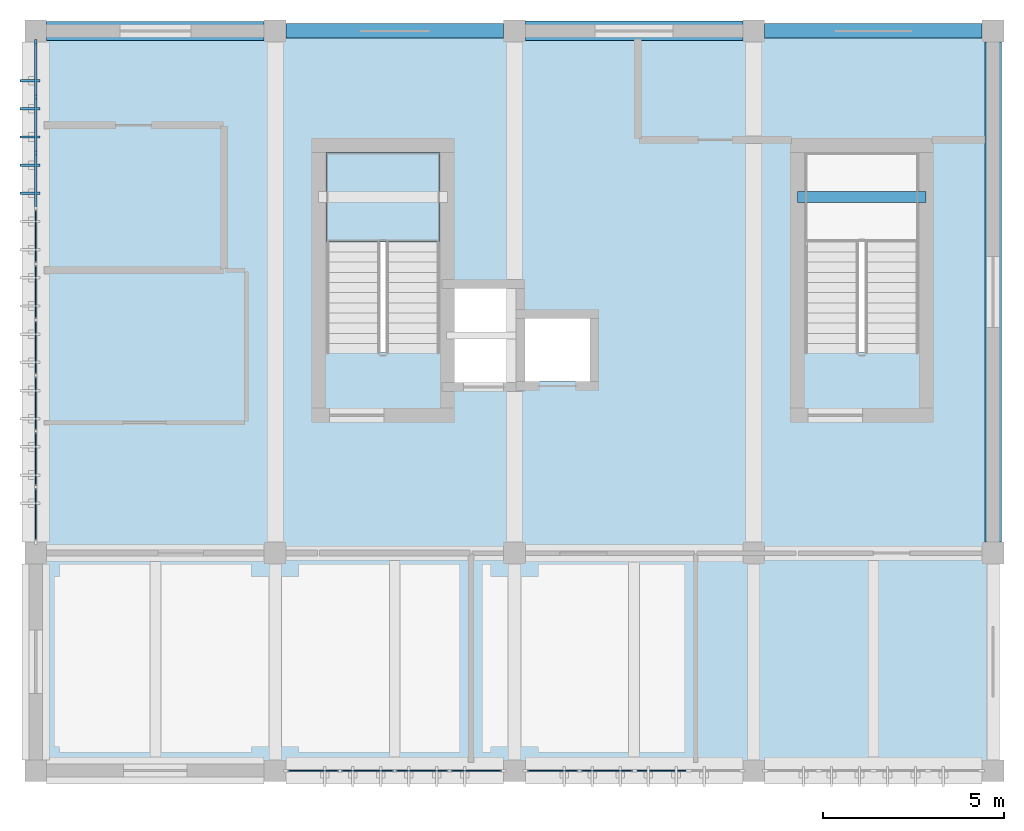
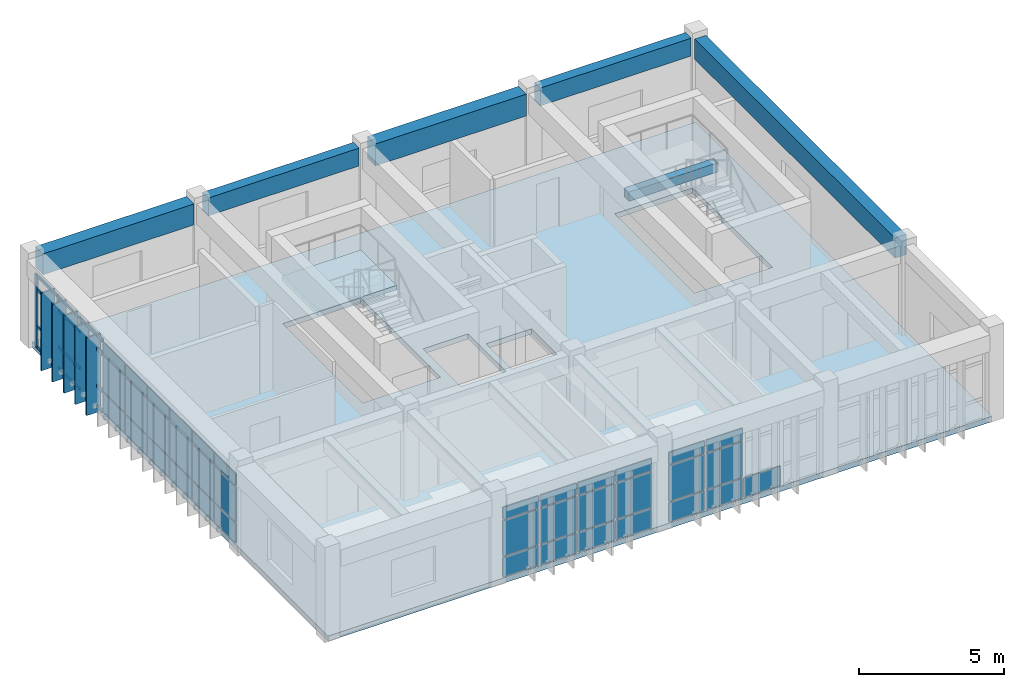
# One storey, part 3 of 7: 37 plates, 20 members, 6 beams, 2 slabs, 4 elements without a shape of their own.
"""IFC4 building model written with IfcOpenShell, lengths in metres."""

from ifc_helpers import new_model, si_unit, direction, frame, origin, origin_2d, place, context, subcontext, project, spatial, polyline, rectangle, outline, extrude, material, layer, layer_set, material_profile, profile_set, type_object, element, aggregate, save


model = new_model("IFC4")

# Units and contexts
model_context = context("Model", 3, precision=1e-05, world=origin(), true_north=direction((0.0, 1.0)))
body_context = subcontext(model_context, "Body", "Model", "MODEL_VIEW")
ifc_project = project(units=[si_unit("LENGTHUNIT", "METRE"), si_unit("AREAUNIT", "SQUARE_METRE"), si_unit("VOLUMEUNIT", "CUBIC_METRE"), si_unit("PLANEANGLEUNIT", "RADIAN"), si_unit("MASSUNIT", "GRAM", prefix="KILO")], contexts=[model_context])

# Site, building, storey
site_placement = place(None, origin())
site = spatial("IfcSite", under=ifc_project, at=site_placement, CompositionType="ELEMENT")
building_placement = place(site_placement, origin())
building = spatial("IfcBuilding", under=site, at=building_placement, Name="Miralva Faculty of Natural Sciences", CompositionType="ELEMENT")
storey_placement = place(building_placement, frame((0.0, 0.0, 40.60009765625)))
storey = spatial("IfcBuildingStorey", under=building, at=storey_placement, Name="L09", CompositionType="ELEMENT", Elevation=40.60009765625)

# Beams
ifc_material_1 = material(Name="Concrete C40/50", Category="concrete")
ifc_material_profile_1 = material_profile(ifc_material_1, rectangle(XDim=0.449951171875, YDim=0.85009765625, at=origin_2d()), Name="RC 450x850")
ifc_profile_set_1 = profile_set([ifc_material_profile_1], Name="Concrete C40/50")
beam_type_1 = type_object("IfcBeamType", Name="BM-B01", PredefinedType="BEAM", material=ifc_profile_set_1)
beam_1_placement = place(storey_placement, frame((29.39990234375, 9.300048828125, 3.324951171875), z_axis=(0.0, 1.0, 0.0), x_axis=(-1.0, 0.0, 0.0)))
element("IfcBeam", 1, at=beam_1_placement, inside=storey, type_object=beam_type_1, Name="Girder NS L09-22", PredefinedType="BEAM", context=body_context, shape_type="SweptSolid", body=[
    extrude(rectangle(XDim=0.449951171875, YDim=0.85009765625, at=origin_2d()), origin(), (0.0, 0.0, 1.0), 13.800048828125),
])
ifc_material_profile_2 = material_profile(ifc_material_1, rectangle(XDim=0.39990234375, YDim=0.75, at=origin_2d()), Name="RC 400x750")
ifc_profile_set_2 = profile_set([ifc_material_profile_2], Name="Concrete C40/50")
beam_type_2 = type_object("IfcBeamType", Name="BM-B03", PredefinedType="BEAM", material=ifc_profile_set_2)
for number, where, z_axis, x_axis, name in (
    (2, (9.89990234375, 23.39990234375, 3.375), (1.0, 0.0, 0.0), (0.0, 1.0, 0.0), "Girder EW L09-10"),
    (3, (23.10009765625, 23.39990234375, 3.375), (1.0, 0.0, 0.0), (0.0, 1.0, 0.0), "Girder EW L09-12"),
):
    element("IfcBeam", number, at=place(storey_placement, frame(where, z_axis=z_axis, x_axis=x_axis)), inside=storey, type_object=beam_type_2, Name=name, PredefinedType="BEAM", context=body_context, shape_type="SweptSolid", body=[
        extrude(rectangle(XDim=0.39990234375, YDim=0.75, at=origin_2d()), origin(), (0.0, 0.0, 1.0), 6.0),
    ])
ifc_material_profile_3 = material_profile(ifc_material_1, rectangle(XDim=0.52001953125, YDim=0.8798828125, at=origin_2d()), Name="RC 520x880")
ifc_profile_set_3 = profile_set([ifc_material_profile_3], Name="Concrete C40/50")
beam_type_3 = type_object("IfcBeamType", Name="BM-BG19", PredefinedType="BEAM", material=ifc_profile_set_3)
beam_2_placement = place(storey_placement, frame((3.300048828125, 23.39990234375, 3.309814453125), z_axis=(1.0, 0.0, 0.0), x_axis=(0.0, 1.0, 0.0)))
element("IfcBeam", 4, at=beam_2_placement, inside=storey, type_object=beam_type_3, Name="Girder EW L09-9", PredefinedType="BEAM", context=body_context, shape_type="SweptSolid", body=[
    extrude(rectangle(XDim=0.52001953125, YDim=0.8798828125, at=origin_2d()), origin(), (0.0, 0.0, 1.0), 6.0),
])
ifc_material_profile_4 = material_profile(ifc_material_1, rectangle(XDim=0.5400390625, YDim=0.919921875, at=origin_2d()), Name="RC 540x920")
ifc_profile_set_4 = profile_set([ifc_material_profile_4], Name="Concrete C40/50")
beam_type_4 = type_object("IfcBeamType", Name="BM-BG21", PredefinedType="BEAM", material=ifc_profile_set_4)
beam_3_placement = place(storey_placement, frame((16.5, 23.39990234375, 3.289794921875), z_axis=(1.0, 0.0, 0.0), x_axis=(0.0, 1.0, 0.0)))
element("IfcBeam", 5, at=beam_3_placement, inside=storey, type_object=beam_type_4, Name="Girder EW L09-11", PredefinedType="BEAM", context=body_context, shape_type="SweptSolid", body=[
    extrude(rectangle(XDim=0.5400390625, YDim=0.919921875, at=origin_2d()), origin(), (0.0, 0.0, 1.0), 6.0),
])
ifc_material_profile_5 = material_profile(ifc_material_1, rectangle(XDim=0.300048828125, YDim=0.3798828125, at=origin_2d()), Name="RC 300x380")
ifc_profile_set_5 = profile_set([ifc_material_profile_5], Name="Concrete C40/50")
beam_type_5 = type_object("IfcBeamType", Name="BM-LND01", PredefinedType="BEAM", material=ifc_profile_set_5)
beam_4_placement = place(storey_placement, frame((24.0, 18.81494140625, 1.619873046875), z_axis=(1.0, 0.0, 0.0), x_axis=(0.0, 1.0, 0.0)))
element("IfcBeam", 6, at=beam_4_placement, inside=storey, type_object=beam_type_5, Name="Stair Core C1B half-landing support beam L09", PredefinedType="BEAM", context=body_context, shape_type="SweptSolid", body=[
    extrude(rectangle(XDim=0.300048828125, YDim=0.3798828125, at=origin_2d()), origin(), (0.0, 0.0, 1.0), 3.550048828125),
])

# Curtain wall, members
ifc_material_2 = material(Name="Laminated solar-control glass", Category="glass")
ifc_layer_1 = layer(ifc_material_2, 0.179931640625, Name="CW-TWR-L07")
ifc_layer_set_1 = layer_set([ifc_layer_1], Name="Laminated solar-control glass")
curtain_wall_type = type_object("IfcCurtainWallType", Name="CW-TWR-L07", PredefinedType="USERDEFINED", material=ifc_layer_set_1)
curtain_wall_1_placement = place(storey_placement, origin())
curtain_wall_1 = element("IfcCurtainWall", 7, at=curtain_wall_1_placement, inside=storey, type_object=curtain_wall_type, Name="Curtain wall CW-15 L09-254", ObjectType="UNITISED CURTAIN WALL", PredefinedType="USERDEFINED")
ifc_material_3 = material(Name="Anodised aluminium", Category="aluminium")
ifc_material_profile_6 = material_profile(ifc_material_3, rectangle(XDim=0.06494140625, YDim=0.159912109375, at=origin_2d()), Name="MULLION 65x160")
ifc_profile_set_6 = profile_set([ifc_material_profile_6], Name="Anodised aluminium")
member_type_1 = type_object("IfcMemberType", Name="CW-M02", PredefinedType="MULLION", material=ifc_profile_set_6)
member_1_placement = place(storey_placement, frame((3.0, 20.041748046875, 0.0), z_axis=(0.0, 0.0, 1.0), x_axis=(-1.0, 0.0, 0.0)))
member_1 = element("IfcMember", 8, at=member_1_placement, type_object=member_type_1, Name="CW-15 mullion 8", PredefinedType="MULLION", context=body_context, shape_type="SweptSolid", body=[
    extrude(rectangle(XDim=0.06494140625, YDim=0.159912109375, at=origin_2d()), origin(), (0.0, 0.0, 1.0), 3.044921875),
])
member_2_placement = place(storey_placement, frame((3.0, 21.578369140625, 0.0), z_axis=(0.0, 0.0, 1.0), x_axis=(-1.0, 0.0, 0.0)))
member_2 = element("IfcMember", 9, at=member_2_placement, type_object=member_type_1, Name="CW-15 mullion 9", PredefinedType="MULLION", context=body_context, shape_type="SweptSolid", body=[
    extrude(rectangle(XDim=0.06494140625, YDim=0.159912109375, at=origin_2d()), origin(), (0.0, 0.0, 1.0), 3.044921875),
])
member_3_placement = place(storey_placement, frame((3.0, 23.08251953125, 0.0), z_axis=(0.0, 0.0, 1.0), x_axis=(-1.0, 0.0, 0.0)))
member_3 = element("IfcMember", 10, at=member_3_placement, type_object=member_type_1, Name="CW-15 mullion 10", PredefinedType="MULLION", context=body_context, shape_type="SweptSolid", body=[
    extrude(rectangle(XDim=0.06494140625, YDim=0.159912109375, at=origin_2d()), origin(), (0.0, 0.0, 1.0), 3.044921875),
])
ifc_material_profile_7 = material_profile(ifc_material_3, rectangle(XDim=0.06005859375, YDim=0.1201171875, at=origin_2d()), Name="TRANSOM 60x120")
ifc_profile_set_7 = profile_set([ifc_material_profile_7], Name="Anodised aluminium")
member_type_2 = type_object("IfcMemberType", Name="CW-T02", PredefinedType="USERDEFINED", material=ifc_profile_set_7)
member_4_placement = place(storey_placement, frame((3.0, 18.53759765625, 0.02978515625), z_axis=(0.0, 1.0, 0.0), x_axis=(-1.0, 0.0, 0.0)))
member_4 = element("IfcMember", 11, at=member_4_placement, type_object=member_type_2, Name="CW-15 transom 7.1", ObjectType="TRANSOM", PredefinedType="USERDEFINED", context=body_context, shape_type="SweptSolid", body=[
    extrude(rectangle(XDim=0.06005859375, YDim=0.1201171875, at=origin_2d()), origin(), (0.0, 0.0, 1.0), 1.4716796875),
])
member_5_placement = place(storey_placement, frame((3.0, 18.53759765625, 0.89990234375), z_axis=(0.0, 1.0, 0.0), x_axis=(-1.0, 0.0, 0.0)))
member_5 = element("IfcMember", 12, at=member_5_placement, type_object=member_type_2, Name="CW-15 transom 7.2", ObjectType="TRANSOM", PredefinedType="USERDEFINED", context=body_context, shape_type="SweptSolid", body=[
    extrude(rectangle(XDim=0.06005859375, YDim=0.1201171875, at=origin_2d()), origin(), (0.0, 0.0, 1.0), 1.4716796875),
])
member_6_placement = place(storey_placement, frame((3.0, 18.53759765625, 2.44482421875), z_axis=(0.0, 1.0, 0.0), x_axis=(-1.0, 0.0, 0.0)))
member_6 = element("IfcMember", 13, at=member_6_placement, type_object=member_type_2, Name="CW-15 transom 7.3", ObjectType="TRANSOM", PredefinedType="USERDEFINED", context=body_context, shape_type="SweptSolid", body=[
    extrude(rectangle(XDim=0.06005859375, YDim=0.1201171875, at=origin_2d()), origin(), (0.0, 0.0, 1.0), 1.4716796875),
])
member_7_placement = place(storey_placement, frame((3.0, 18.53759765625, 3.014892578125), z_axis=(0.0, 1.0, 0.0), x_axis=(-1.0, 0.0, 0.0)))
member_7 = element("IfcMember", 14, at=member_7_placement, type_object=member_type_2, Name="CW-15 transom 7.4", ObjectType="TRANSOM", PredefinedType="USERDEFINED", context=body_context, shape_type="SweptSolid", body=[
    extrude(rectangle(XDim=0.06005859375, YDim=0.1201171875, at=origin_2d()), origin(), (0.0, 0.0, 1.0), 1.4716796875),
])
member_8_placement = place(storey_placement, frame((3.0, 20.07421875, 0.02978515625), z_axis=(0.0, 1.0, 0.0), x_axis=(-1.0, 0.0, 0.0)))
member_8 = element("IfcMember", 15, at=member_8_placement, type_object=member_type_2, Name="CW-15 transom 8.1", ObjectType="TRANSOM", PredefinedType="USERDEFINED", context=body_context, shape_type="SweptSolid", body=[
    extrude(rectangle(XDim=0.06005859375, YDim=0.1201171875, at=origin_2d()), origin(), (0.0, 0.0, 1.0), 1.4716796875),
])
member_9_placement = place(storey_placement, frame((3.0, 20.07421875, 0.89990234375), z_axis=(0.0, 1.0, 0.0), x_axis=(-1.0, 0.0, 0.0)))
member_9 = element("IfcMember", 16, at=member_9_placement, type_object=member_type_2, Name="CW-15 transom 8.2", ObjectType="TRANSOM", PredefinedType="USERDEFINED", context=body_context, shape_type="SweptSolid", body=[
    extrude(rectangle(XDim=0.06005859375, YDim=0.1201171875, at=origin_2d()), origin(), (0.0, 0.0, 1.0), 1.4716796875),
])
member_10_placement = place(storey_placement, frame((3.0, 20.07421875, 2.44482421875), z_axis=(0.0, 1.0, 0.0), x_axis=(-1.0, 0.0, 0.0)))
member_10 = element("IfcMember", 17, at=member_10_placement, type_object=member_type_2, Name="CW-15 transom 8.3", ObjectType="TRANSOM", PredefinedType="USERDEFINED", context=body_context, shape_type="SweptSolid", body=[
    extrude(rectangle(XDim=0.06005859375, YDim=0.1201171875, at=origin_2d()), origin(), (0.0, 0.0, 1.0), 1.4716796875),
])
member_11_placement = place(storey_placement, frame((3.0, 20.07421875, 3.014892578125), z_axis=(0.0, 1.0, 0.0), x_axis=(-1.0, 0.0, 0.0)))
member_11 = element("IfcMember", 18, at=member_11_placement, type_object=member_type_2, Name="CW-15 transom 8.4", ObjectType="TRANSOM", PredefinedType="USERDEFINED", context=body_context, shape_type="SweptSolid", body=[
    extrude(rectangle(XDim=0.06005859375, YDim=0.1201171875, at=origin_2d()), origin(), (0.0, 0.0, 1.0), 1.4716796875),
])
member_12_placement = place(storey_placement, frame((3.0, 21.61083984375, 0.02978515625), z_axis=(0.0, 1.0, 0.0), x_axis=(-1.0, 0.0, 0.0)))
member_12 = element("IfcMember", 19, at=member_12_placement, type_object=member_type_2, Name="CW-15 transom 9.1", ObjectType="TRANSOM", PredefinedType="USERDEFINED", context=body_context, shape_type="SweptSolid", body=[
    extrude(rectangle(XDim=0.06005859375, YDim=0.1201171875, at=origin_2d()), origin(), (0.0, 0.0, 1.0), 1.439208984375),
])
member_13_placement = place(storey_placement, frame((3.0, 21.61083984375, 0.89990234375), z_axis=(0.0, 1.0, 0.0), x_axis=(-1.0, 0.0, 0.0)))
member_13 = element("IfcMember", 20, at=member_13_placement, type_object=member_type_2, Name="CW-15 transom 9.2", ObjectType="TRANSOM", PredefinedType="USERDEFINED", context=body_context, shape_type="SweptSolid", body=[
    extrude(rectangle(XDim=0.06005859375, YDim=0.1201171875, at=origin_2d()), origin(), (0.0, 0.0, 1.0), 1.439208984375),
])
member_14_placement = place(storey_placement, frame((3.0, 21.61083984375, 2.44482421875), z_axis=(0.0, 1.0, 0.0), x_axis=(-1.0, 0.0, 0.0)))
member_14 = element("IfcMember", 21, at=member_14_placement, type_object=member_type_2, Name="CW-15 transom 9.3", ObjectType="TRANSOM", PredefinedType="USERDEFINED", context=body_context, shape_type="SweptSolid", body=[
    extrude(rectangle(XDim=0.06005859375, YDim=0.1201171875, at=origin_2d()), origin(), (0.0, 0.0, 1.0), 1.439208984375),
])
member_15_placement = place(storey_placement, frame((3.0, 21.61083984375, 3.014892578125), z_axis=(0.0, 1.0, 0.0), x_axis=(-1.0, 0.0, 0.0)))
member_15 = element("IfcMember", 22, at=member_15_placement, type_object=member_type_2, Name="CW-15 transom 9.4", ObjectType="TRANSOM", PredefinedType="USERDEFINED", context=body_context, shape_type="SweptSolid", body=[
    extrude(rectangle(XDim=0.06005859375, YDim=0.1201171875, at=origin_2d()), origin(), (0.0, 0.0, 1.0), 1.439208984375),
])

# Members
ifc_material_profile_8 = material_profile(ifc_material_3, rectangle(XDim=0.06494140625, YDim=0.550048828125, at=origin_2d()), Name="FIN 550x65")
ifc_profile_set_8 = profile_set([ifc_material_profile_8], Name="Anodised aluminium")
member_type_3 = type_object("IfcMemberType", Name="MEM-SF03", PredefinedType="USERDEFINED", material=ifc_profile_set_8)
for number, where, z_axis, x_axis, name in (
    (23, (2.840087890625, 18.919189453125, -0.22021484375), (0.0, 0.0, 1.0), (0.0, -1.0, 0.0), "Solar shading fin SF-03 L09-497"),
    (24, (2.840087890625, 19.69580078125, -0.22021484375), (0.0, 0.0, 1.0), (0.0, -1.0, 0.0), "Solar shading fin SF-03 L09-498"),
    (25, (2.840087890625, 20.472900390625, -0.22021484375), (0.0, 0.0, 1.0), (0.0, -1.0, 0.0), "Solar shading fin SF-03 L09-499"),
    (26, (2.840087890625, 21.249755859375, -0.22021484375), (0.0, 0.0, 1.0), (0.0, -1.0, 0.0), "Solar shading fin SF-03 L09-500"),
    (27, (2.840087890625, 22.026611328125, -0.22021484375), (0.0, 0.0, 1.0), (0.0, -1.0, 0.0), "Solar shading fin SF-03 L09-501"),
):
    element("IfcMember", number, at=place(storey_placement, frame(where, z_axis=z_axis, x_axis=x_axis)), inside=storey, type_object=member_type_3, Name=name, ObjectType="SUNSHADE", PredefinedType="USERDEFINED", context=body_context, shape_type="SweptSolid", body=[
        extrude(rectangle(XDim=0.06494140625, YDim=0.550048828125, at=origin_2d()), origin(), (0.0, 0.0, 1.0), 3.26513671875),
    ])

# Curtain wall, plates
curtain_wall_2_placement = place(storey_placement, origin())
curtain_wall_2 = element("IfcCurtainWall", 28, at=curtain_wall_2_placement, inside=storey, type_object=curtain_wall_type, Name="Curtain wall CW-15 L09-251", ObjectType="UNITISED CURTAIN WALL", PredefinedType="USERDEFINED")
ifc_layer_2 = layer(ifc_material_2, 0.028076171875, Name="PNL-P01")
ifc_layer_set_2 = layer_set([ifc_layer_2], Name="Laminated solar-control glass")
plate_type = type_object("IfcPlateType", Name="PNL-P01", PredefinedType="CURTAIN_PANEL", material=ifc_layer_set_2)
plate_1_placement = place(storey_placement, frame((10.655029296875, 3.0, 0.059814453125), z_axis=(0.0, 0.0, 1.0), x_axis=(1.0, 0.0, 0.0)))
plate_1 = element("IfcPlate", 29, at=plate_1_placement, type_object=plate_type, Name="CW-15 panel 1.1", PredefinedType="CURTAIN_PANEL", context=body_context, shape_type="SweptSolid", body=[
    extrude(rectangle(XDim=1.409912109375, YDim=0.028076171875, at=origin_2d()), origin(), (0.0, 0.0, 1.0), 0.81005859375),
])
plate_2_placement = place(storey_placement, frame((10.655029296875, 3.0, 0.9296875), z_axis=(0.0, 0.0, 1.0), x_axis=(1.0, 0.0, 0.0)))
plate_2 = element("IfcPlate", 30, at=plate_2_placement, type_object=plate_type, Name="CW-15 panel 1.2", PredefinedType="CURTAIN_PANEL", context=body_context, shape_type="SweptSolid", body=[
    extrude(rectangle(XDim=1.409912109375, YDim=0.028076171875, at=origin_2d()), origin(), (0.0, 0.0, 1.0), 1.485107421875),
])
plate_3_placement = place(storey_placement, frame((10.655029296875, 3.0, 2.47509765625), z_axis=(0.0, 0.0, 1.0), x_axis=(1.0, 0.0, 0.0)))
plate_3 = element("IfcPlate", 31, at=plate_3_placement, type_object=plate_type, Name="CW-15 panel 1.3", PredefinedType="CURTAIN_PANEL", context=body_context, shape_type="SweptSolid", body=[
    extrude(rectangle(XDim=1.409912109375, YDim=0.028076171875, at=origin_2d()), origin(), (0.0, 0.0, 1.0), 0.510009765625),
])
plate_4_placement = place(storey_placement, frame((12.146240234375, 3.0, 0.059814453125), z_axis=(0.0, 0.0, 1.0), x_axis=(1.0, 0.0, 0.0)))
plate_4 = element("IfcPlate", 32, at=plate_4_placement, type_object=plate_type, Name="CW-15 panel 2.1", PredefinedType="CURTAIN_PANEL", context=body_context, shape_type="SweptSolid", body=[
    extrude(rectangle(XDim=1.4423828125, YDim=0.028076171875, at=origin_2d()), origin(), (0.0, 0.0, 1.0), 0.81005859375),
])
plate_5_placement = place(storey_placement, frame((12.146240234375, 3.0, 0.9296875), z_axis=(0.0, 0.0, 1.0), x_axis=(1.0, 0.0, 0.0)))
plate_5 = element("IfcPlate", 33, at=plate_5_placement, type_object=plate_type, Name="CW-15 panel 2.2", PredefinedType="CURTAIN_PANEL", context=body_context, shape_type="SweptSolid", body=[
    extrude(rectangle(XDim=1.4423828125, YDim=0.028076171875, at=origin_2d()), origin(), (0.0, 0.0, 1.0), 1.485107421875),
])
plate_6_placement = place(storey_placement, frame((12.146240234375, 3.0, 2.47509765625), z_axis=(0.0, 0.0, 1.0), x_axis=(1.0, 0.0, 0.0)))
plate_6 = element("IfcPlate", 34, at=plate_6_placement, type_object=plate_type, Name="CW-15 panel 2.3", PredefinedType="CURTAIN_PANEL", context=body_context, shape_type="SweptSolid", body=[
    extrude(rectangle(XDim=1.4423828125, YDim=0.028076171875, at=origin_2d()), origin(), (0.0, 0.0, 1.0), 0.510009765625),
])
plate_7_placement = place(storey_placement, frame((13.65380859375, 3.0, 0.059814453125), z_axis=(0.0, 0.0, 1.0), x_axis=(1.0, 0.0, 0.0)))
plate_7 = element("IfcPlate", 35, at=plate_7_placement, type_object=plate_type, Name="CW-15 panel 3.1", PredefinedType="CURTAIN_PANEL", context=body_context, shape_type="SweptSolid", body=[
    extrude(rectangle(XDim=1.4423828125, YDim=0.028076171875, at=origin_2d()), origin(), (0.0, 0.0, 1.0), 0.81005859375),
])
plate_8_placement = place(storey_placement, frame((13.65380859375, 3.0, 0.9296875), z_axis=(0.0, 0.0, 1.0), x_axis=(1.0, 0.0, 0.0)))
plate_8 = element("IfcPlate", 36, at=plate_8_placement, type_object=plate_type, Name="CW-15 panel 3.2", PredefinedType="CURTAIN_PANEL", context=body_context, shape_type="SweptSolid", body=[
    extrude(rectangle(XDim=1.4423828125, YDim=0.028076171875, at=origin_2d()), origin(), (0.0, 0.0, 1.0), 1.485107421875),
])
plate_9_placement = place(storey_placement, frame((13.65380859375, 3.0, 2.47509765625), z_axis=(0.0, 0.0, 1.0), x_axis=(1.0, 0.0, 0.0)))
plate_9 = element("IfcPlate", 37, at=plate_9_placement, type_object=plate_type, Name="CW-15 panel 3.3", PredefinedType="CURTAIN_PANEL", context=body_context, shape_type="SweptSolid", body=[
    extrude(rectangle(XDim=1.4423828125, YDim=0.028076171875, at=origin_2d()), origin(), (0.0, 0.0, 1.0), 0.510009765625),
])
plate_10_placement = place(storey_placement, frame((15.14501953125, 3.0, 0.059814453125), z_axis=(0.0, 0.0, 1.0), x_axis=(1.0, 0.0, 0.0)))
plate_10 = element("IfcPlate", 38, at=plate_10_placement, type_object=plate_type, Name="CW-15 panel 4.1", PredefinedType="CURTAIN_PANEL", context=body_context, shape_type="SweptSolid", body=[
    extrude(rectangle(XDim=1.409912109375, YDim=0.028076171875, at=origin_2d()), origin(), (0.0, 0.0, 1.0), 0.81005859375),
])
plate_11_placement = place(storey_placement, frame((15.14501953125, 3.0, 0.9296875), z_axis=(0.0, 0.0, 1.0), x_axis=(1.0, 0.0, 0.0)))
plate_11 = element("IfcPlate", 39, at=plate_11_placement, type_object=plate_type, Name="CW-15 panel 4.2", PredefinedType="CURTAIN_PANEL", context=body_context, shape_type="SweptSolid", body=[
    extrude(rectangle(XDim=1.409912109375, YDim=0.028076171875, at=origin_2d()), origin(), (0.0, 0.0, 1.0), 1.485107421875),
])
plate_12_placement = place(storey_placement, frame((15.14501953125, 3.0, 2.47509765625), z_axis=(0.0, 0.0, 1.0), x_axis=(1.0, 0.0, 0.0)))
plate_12 = element("IfcPlate", 40, at=plate_12_placement, type_object=plate_type, Name="CW-15 panel 4.3", PredefinedType="CURTAIN_PANEL", context=body_context, shape_type="SweptSolid", body=[
    extrude(rectangle(XDim=1.409912109375, YDim=0.028076171875, at=origin_2d()), origin(), (0.0, 0.0, 1.0), 0.510009765625),
])
aggregate(curtain_wall_2, [plate_1, plate_2, plate_3, plate_4, plate_5, plate_6, plate_7, plate_8, plate_9, plate_10, plate_11, plate_12])

curtain_wall_3_placement = place(storey_placement, origin())
curtain_wall_3 = element("IfcCurtainWall", 41, at=curtain_wall_3_placement, inside=storey, type_object=curtain_wall_type, Name="Curtain wall CW-15 L09-252", ObjectType="UNITISED CURTAIN WALL", PredefinedType="USERDEFINED")
plate_13_placement = place(storey_placement, frame((17.2548828125, 3.0, 0.059814453125), z_axis=(0.0, 0.0, 1.0), x_axis=(1.0, 0.0, 0.0)))
plate_13 = element("IfcPlate", 42, at=plate_13_placement, type_object=plate_type, Name="CW-15 panel 1.1", PredefinedType="CURTAIN_PANEL", context=body_context, shape_type="SweptSolid", body=[
    extrude(rectangle(XDim=1.409912109375, YDim=0.028076171875, at=origin_2d()), origin(), (0.0, 0.0, 1.0), 0.81005859375),
])
plate_14_placement = place(storey_placement, frame((17.2548828125, 3.0, 0.9296875), z_axis=(0.0, 0.0, 1.0), x_axis=(1.0, 0.0, 0.0)))
plate_14 = element("IfcPlate", 43, at=plate_14_placement, type_object=plate_type, Name="CW-15 panel 1.2", PredefinedType="CURTAIN_PANEL", context=body_context, shape_type="SweptSolid", body=[
    extrude(rectangle(XDim=1.409912109375, YDim=0.028076171875, at=origin_2d()), origin(), (0.0, 0.0, 1.0), 1.485107421875),
])
plate_15_placement = place(storey_placement, frame((17.2548828125, 3.0, 2.47509765625), z_axis=(0.0, 0.0, 1.0), x_axis=(1.0, 0.0, 0.0)))
plate_15 = element("IfcPlate", 44, at=plate_15_placement, type_object=plate_type, Name="CW-15 panel 1.3", PredefinedType="CURTAIN_PANEL", context=body_context, shape_type="SweptSolid", body=[
    extrude(rectangle(XDim=1.409912109375, YDim=0.028076171875, at=origin_2d()), origin(), (0.0, 0.0, 1.0), 0.510009765625),
])
plate_16_placement = place(storey_placement, frame((18.746337890625, 3.0, 0.059814453125), z_axis=(0.0, 0.0, 1.0), x_axis=(1.0, 0.0, 0.0)))
plate_16 = element("IfcPlate", 45, at=plate_16_placement, type_object=plate_type, Name="CW-15 panel 2.1", PredefinedType="CURTAIN_PANEL", context=body_context, shape_type="SweptSolid", body=[
    extrude(rectangle(XDim=1.4423828125, YDim=0.028076171875, at=origin_2d()), origin(), (0.0, 0.0, 1.0), 0.81005859375),
])
plate_17_placement = place(storey_placement, frame((18.746337890625, 3.0, 0.9296875), z_axis=(0.0, 0.0, 1.0), x_axis=(1.0, 0.0, 0.0)))
plate_17 = element("IfcPlate", 46, at=plate_17_placement, type_object=plate_type, Name="CW-15 panel 2.2", PredefinedType="CURTAIN_PANEL", context=body_context, shape_type="SweptSolid", body=[
    extrude(rectangle(XDim=1.4423828125, YDim=0.028076171875, at=origin_2d()), origin(), (0.0, 0.0, 1.0), 1.485107421875),
])
plate_18_placement = place(storey_placement, frame((18.746337890625, 3.0, 2.47509765625), z_axis=(0.0, 0.0, 1.0), x_axis=(1.0, 0.0, 0.0)))
plate_18 = element("IfcPlate", 47, at=plate_18_placement, type_object=plate_type, Name="CW-15 panel 2.3", PredefinedType="CURTAIN_PANEL", context=body_context, shape_type="SweptSolid", body=[
    extrude(rectangle(XDim=1.4423828125, YDim=0.028076171875, at=origin_2d()), origin(), (0.0, 0.0, 1.0), 0.510009765625),
])
plate_19_placement = place(storey_placement, frame((20.253662109375, 3.0, 0.059814453125), z_axis=(0.0, 0.0, 1.0), x_axis=(1.0, 0.0, 0.0)))
plate_19 = element("IfcPlate", 48, at=plate_19_placement, type_object=plate_type, Name="CW-15 panel 3.1", PredefinedType="CURTAIN_PANEL", context=body_context, shape_type="SweptSolid", body=[
    extrude(rectangle(XDim=1.4423828125, YDim=0.028076171875, at=origin_2d()), origin(), (0.0, 0.0, 1.0), 0.81005859375),
])
aggregate(curtain_wall_3, [plate_13, plate_14, plate_15, plate_16, plate_17, plate_18, plate_19])

# Plate
plate_20_placement = place(storey_placement, frame((3.0, 10.069580078125, 0.059814453125), z_axis=(0.0, 0.0, 1.0), x_axis=(0.0, 1.0, 0.0)))
plate_20 = element("IfcPlate", 49, at=plate_20_placement, type_object=plate_type, Name="CW-15 panel 1.1", PredefinedType="CURTAIN_PANEL", context=body_context, shape_type="SweptSolid", body=[
    extrude(rectangle(XDim=1.439208984375, YDim=0.028076171875, at=origin_2d()), origin(), (0.0, 0.0, 1.0), 0.81005859375),
])

plate_21_placement = place(storey_placement, frame((3.0, 10.069580078125, 0.9296875), z_axis=(0.0, 0.0, 1.0), x_axis=(0.0, 1.0, 0.0)))
plate_21 = element("IfcPlate", 50, at=plate_21_placement, type_object=plate_type, Name="CW-15 panel 1.2", PredefinedType="CURTAIN_PANEL", context=body_context, shape_type="SweptSolid", body=[
    extrude(rectangle(XDim=1.439208984375, YDim=0.028076171875, at=origin_2d()), origin(), (0.0, 0.0, 1.0), 1.485107421875),
])

plate_22_placement = place(storey_placement, frame((3.0, 10.069580078125, 2.47509765625), z_axis=(0.0, 0.0, 1.0), x_axis=(0.0, 1.0, 0.0)))
plate_22 = element("IfcPlate", 51, at=plate_22_placement, type_object=plate_type, Name="CW-15 panel 1.3", PredefinedType="CURTAIN_PANEL", context=body_context, shape_type="SweptSolid", body=[
    extrude(rectangle(XDim=1.439208984375, YDim=0.028076171875, at=origin_2d()), origin(), (0.0, 0.0, 1.0), 0.510009765625),
])

plate_23_placement = place(storey_placement, frame((3.0, 11.590087890625, 0.059814453125), z_axis=(0.0, 0.0, 1.0), x_axis=(0.0, 1.0, 0.0)))
plate_23 = element("IfcPlate", 52, at=plate_23_placement, type_object=plate_type, Name="CW-15 panel 2.1", PredefinedType="CURTAIN_PANEL", context=body_context, shape_type="SweptSolid", body=[
    extrude(rectangle(XDim=1.4716796875, YDim=0.028076171875, at=origin_2d()), origin(), (0.0, 0.0, 1.0), 0.81005859375),
])

plate_24_placement = place(storey_placement, frame((3.0, 11.590087890625, 0.9296875), z_axis=(0.0, 0.0, 1.0), x_axis=(0.0, 1.0, 0.0)))
plate_24 = element("IfcPlate", 53, at=plate_24_placement, type_object=plate_type, Name="CW-15 panel 2.2", PredefinedType="CURTAIN_PANEL", context=body_context, shape_type="SweptSolid", body=[
    extrude(rectangle(XDim=1.4716796875, YDim=0.028076171875, at=origin_2d()), origin(), (0.0, 0.0, 1.0), 1.485107421875),
])

plate_25_placement = place(storey_placement, frame((3.0, 11.590087890625, 2.47509765625), z_axis=(0.0, 0.0, 1.0), x_axis=(0.0, 1.0, 0.0)))
plate_25 = element("IfcPlate", 54, at=plate_25_placement, type_object=plate_type, Name="CW-15 panel 2.3", PredefinedType="CURTAIN_PANEL", context=body_context, shape_type="SweptSolid", body=[
    extrude(rectangle(XDim=1.4716796875, YDim=0.028076171875, at=origin_2d()), origin(), (0.0, 0.0, 1.0), 0.510009765625),
])

plate_26_placement = place(storey_placement, frame((3.0, 13.126708984375, 0.059814453125), z_axis=(0.0, 0.0, 1.0), x_axis=(0.0, 1.0, 0.0)))
plate_26 = element("IfcPlate", 55, at=plate_26_placement, type_object=plate_type, Name="CW-15 panel 3.1", PredefinedType="CURTAIN_PANEL", context=body_context, shape_type="SweptSolid", body=[
    extrude(rectangle(XDim=1.4716796875, YDim=0.028076171875, at=origin_2d()), origin(), (0.0, 0.0, 1.0), 0.81005859375),
])

plate_27_placement = place(storey_placement, frame((3.0, 13.126708984375, 0.9296875), z_axis=(0.0, 0.0, 1.0), x_axis=(0.0, 1.0, 0.0)))
plate_27 = element("IfcPlate", 56, at=plate_27_placement, type_object=plate_type, Name="CW-15 panel 3.2", PredefinedType="CURTAIN_PANEL", context=body_context, shape_type="SweptSolid", body=[
    extrude(rectangle(XDim=1.4716796875, YDim=0.028076171875, at=origin_2d()), origin(), (0.0, 0.0, 1.0), 1.485107421875),
])

plate_28_placement = place(storey_placement, frame((3.0, 13.126708984375, 2.47509765625), z_axis=(0.0, 0.0, 1.0), x_axis=(0.0, 1.0, 0.0)))
plate_28 = element("IfcPlate", 57, at=plate_28_placement, type_object=plate_type, Name="CW-15 panel 3.3", PredefinedType="CURTAIN_PANEL", context=body_context, shape_type="SweptSolid", body=[
    extrude(rectangle(XDim=1.4716796875, YDim=0.028076171875, at=origin_2d()), origin(), (0.0, 0.0, 1.0), 0.510009765625),
])

plate_29_placement = place(storey_placement, frame((3.0, 14.663330078125, 0.059814453125), z_axis=(0.0, 0.0, 1.0), x_axis=(0.0, 1.0, 0.0)))
plate_29 = element("IfcPlate", 58, at=plate_29_placement, type_object=plate_type, Name="CW-15 panel 4.1", PredefinedType="CURTAIN_PANEL", context=body_context, shape_type="SweptSolid", body=[
    extrude(rectangle(XDim=1.4716796875, YDim=0.028076171875, at=origin_2d()), origin(), (0.0, 0.0, 1.0), 0.81005859375),
])

plate_30_placement = place(storey_placement, frame((3.0, 14.663330078125, 0.9296875), z_axis=(0.0, 0.0, 1.0), x_axis=(0.0, 1.0, 0.0)))
plate_30 = element("IfcPlate", 59, at=plate_30_placement, type_object=plate_type, Name="CW-15 panel 4.2", PredefinedType="CURTAIN_PANEL", context=body_context, shape_type="SweptSolid", body=[
    extrude(rectangle(XDim=1.4716796875, YDim=0.028076171875, at=origin_2d()), origin(), (0.0, 0.0, 1.0), 1.485107421875),
])

plate_31_placement = place(storey_placement, frame((3.0, 14.663330078125, 2.47509765625), z_axis=(0.0, 0.0, 1.0), x_axis=(0.0, 1.0, 0.0)))
plate_31 = element("IfcPlate", 60, at=plate_31_placement, type_object=plate_type, Name="CW-15 panel 4.3", PredefinedType="CURTAIN_PANEL", context=body_context, shape_type="SweptSolid", body=[
    extrude(rectangle(XDim=1.4716796875, YDim=0.028076171875, at=origin_2d()), origin(), (0.0, 0.0, 1.0), 0.510009765625),
])

plate_32_placement = place(storey_placement, frame((3.0, 16.199951171875, 0.059814453125), z_axis=(0.0, 0.0, 1.0), x_axis=(0.0, 1.0, 0.0)))
plate_32 = element("IfcPlate", 61, at=plate_32_placement, type_object=plate_type, Name="CW-15 panel 5.1", PredefinedType="CURTAIN_PANEL", context=body_context, shape_type="SweptSolid", body=[
    extrude(rectangle(XDim=1.4716796875, YDim=0.028076171875, at=origin_2d()), origin(), (0.0, 0.0, 1.0), 0.81005859375),
])

plate_33_placement = place(storey_placement, frame((3.0, 16.199951171875, 0.9296875), z_axis=(0.0, 0.0, 1.0), x_axis=(0.0, 1.0, 0.0)))
plate_33 = element("IfcPlate", 62, at=plate_33_placement, type_object=plate_type, Name="CW-15 panel 5.2", PredefinedType="CURTAIN_PANEL", context=body_context, shape_type="SweptSolid", body=[
    extrude(rectangle(XDim=1.4716796875, YDim=0.028076171875, at=origin_2d()), origin(), (0.0, 0.0, 1.0), 1.485107421875),
])

plate_34_placement = place(storey_placement, frame((3.0, 16.199951171875, 2.47509765625), z_axis=(0.0, 0.0, 1.0), x_axis=(0.0, 1.0, 0.0)))
plate_34 = element("IfcPlate", 63, at=plate_34_placement, type_object=plate_type, Name="CW-15 panel 5.3", PredefinedType="CURTAIN_PANEL", context=body_context, shape_type="SweptSolid", body=[
    extrude(rectangle(XDim=1.4716796875, YDim=0.028076171875, at=origin_2d()), origin(), (0.0, 0.0, 1.0), 0.510009765625),
])

plate_35_placement = place(storey_placement, frame((3.0, 17.736572265625, 0.059814453125), z_axis=(0.0, 0.0, 1.0), x_axis=(0.0, 1.0, 0.0)))
plate_35 = element("IfcPlate", 64, at=plate_35_placement, type_object=plate_type, Name="CW-15 panel 6.1", PredefinedType="CURTAIN_PANEL", context=body_context, shape_type="SweptSolid", body=[
    extrude(rectangle(XDim=1.4716796875, YDim=0.028076171875, at=origin_2d()), origin(), (0.0, 0.0, 1.0), 0.81005859375),
])

plate_36_placement = place(storey_placement, frame((3.0, 17.736572265625, 0.9296875), z_axis=(0.0, 0.0, 1.0), x_axis=(0.0, 1.0, 0.0)))
plate_36 = element("IfcPlate", 65, at=plate_36_placement, type_object=plate_type, Name="CW-15 panel 6.2", PredefinedType="CURTAIN_PANEL", context=body_context, shape_type="SweptSolid", body=[
    extrude(rectangle(XDim=1.4716796875, YDim=0.028076171875, at=origin_2d()), origin(), (0.0, 0.0, 1.0), 1.485107421875),
])

plate_37_placement = place(storey_placement, frame((3.0, 17.736572265625, 2.47509765625), z_axis=(0.0, 0.0, 1.0), x_axis=(0.0, 1.0, 0.0)))
plate_37 = element("IfcPlate", 66, at=plate_37_placement, type_object=plate_type, Name="CW-15 panel 6.3", PredefinedType="CURTAIN_PANEL", context=body_context, shape_type="SweptSolid", body=[
    extrude(rectangle(XDim=1.4716796875, YDim=0.028076171875, at=origin_2d()), origin(), (0.0, 0.0, 1.0), 0.510009765625),
])

aggregate(curtain_wall_1, [member_1, member_2, member_3, plate_20, plate_21, plate_22, plate_23, plate_24, plate_25, plate_26, plate_27, plate_28, plate_29, plate_30, plate_31, plate_32, plate_33, plate_34, plate_35, plate_36, plate_37, member_4, member_5, member_6, member_7, member_8, member_9, member_10, member_11, member_12, member_13, member_14, member_15])

# Slab
ifc_layer_3 = layer(ifc_material_1, 0.219970703125, Name="SL-FL04")
ifc_layer_set_3 = layer_set([ifc_layer_3], Name="Concrete C40/50")
slab_type_1 = type_object("IfcSlabType", Name="SL-FL04", PredefinedType="FLOOR", material=ifc_layer_set_3)
slab_1_placement = place(storey_placement, frame((0.0, 0.0, -0.22021484375)))
element("IfcSlab", 67, at=slab_1_placement, inside=storey, type_object=slab_type_1, Name="V5 L09 floor slab", PredefinedType="FLOOR", context=body_context, shape_type="SweptSolid", body=[
    extrude(outline(polyline([(29.39990234375, 3.0), (3.0, 3.0), (3.0, 23.39990234375), (29.39990234375, 23.39990234375), (29.39990234375, 3.0)]), holes=[polyline([(14.125, 14.52490234375), (11.02490234375, 14.52490234375), (11.02490234375, 20.02490234375), (14.125, 20.02490234375), (14.125, 14.52490234375)]), polyline([(16.25, 13.699951171875), (14.449951171875, 13.699951171875), (14.449951171875, 16.300048828125), (16.25, 16.300048828125), (16.25, 13.699951171875)]), polyline([(18.2900390625, 13.72509765625), (16.489990234375, 13.72509765625), (16.489990234375, 15.47509765625), (18.2900390625, 15.47509765625), (18.2900390625, 13.72509765625)]), polyline([(27.324951171875, 14.52490234375), (24.22509765625, 14.52490234375), (24.22509765625, 20.02490234375), (27.324951171875, 20.02490234375), (27.324951171875, 14.52490234375)])]), origin(), (0.0, 0.0, 1.0), 0.22021484375),
])

# Stair, slab
stair_type = type_object("IfcStairType", Name="ST-CORE-450", PredefinedType="HALF_TURN_STAIR", material=ifc_material_1)
stair_placement = place(storey_placement, origin())
stair = element("IfcStair", 68, at=stair_placement, inside=storey, type_object=stair_type, Name="Exit Stair Core C1 (ST-03) L09", PredefinedType="HALF_TURN_STAIR")
ifc_layer_4 = layer(ifc_material_1, 0.18994140625, Name="SL-LD01")
ifc_layer_set_4 = layer_set([ifc_layer_4], Name="Concrete C40/50")
slab_type_2 = type_object("IfcSlabType", Name="SL-LD01", PredefinedType="LANDING", material=ifc_layer_set_4)
slab_2_placement = place(storey_placement, frame((0.0, 0.0, 1.809814453125)))
slab_2 = element("IfcSlab", 69, at=slab_2_placement, type_object=slab_type_2, Name="ST-03 landing 1", PredefinedType="LANDING", context=body_context, shape_type="SweptSolid", body=[
    extrude(outline(polyline([(14.14990234375, 17.580078125), (14.14990234375, 20.050048828125), (11.0, 20.050048828125), (11.0, 17.580078125), (14.14990234375, 17.580078125)])), origin(), (0.0, 0.0, 1.0), 0.190185546875),
])
aggregate(stair, [slab_2])

save(model, "model.ifc")
